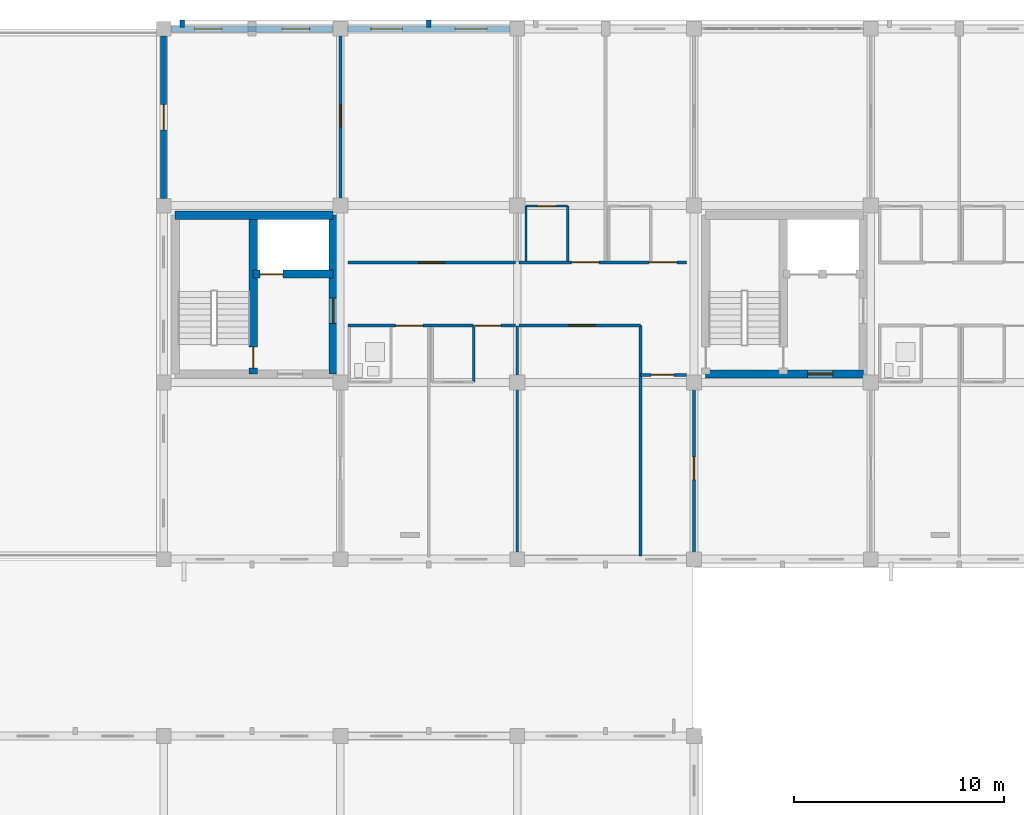
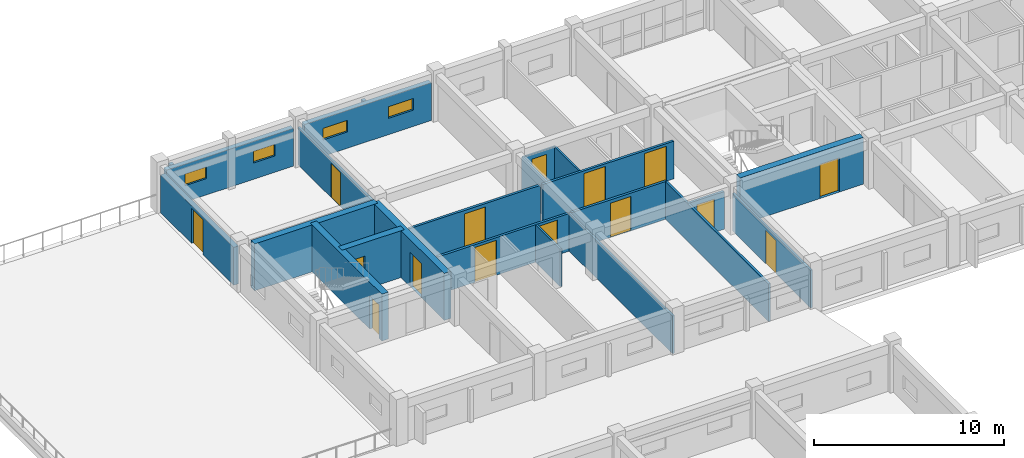
# One storey, part 123 of 148: 23 walls, 15 doors, 4 windows, 19 openings.
"""IFC4 building model written with IfcOpenShell, lengths in metres."""

from ifc_helpers import new_model, si_unit, direction, frame, frame_2d, origin, place, context, subcontext, project, spatial, rectangle, extrude, material, layer, layer_set, type_object, element, fill, save


model = new_model("IFC4")

# Units and contexts
model_context = context("Model", 3, precision=1e-05, world=origin(), true_north=direction((0.0, 1.0)))
body_context = subcontext(model_context, "Body", "Model", "MODEL_VIEW")
ifc_project = project(units=[si_unit("LENGTHUNIT", "METRE"), si_unit("AREAUNIT", "SQUARE_METRE"), si_unit("VOLUMEUNIT", "CUBIC_METRE"), si_unit("PLANEANGLEUNIT", "RADIAN"), si_unit("MASSUNIT", "GRAM", prefix="KILO")], contexts=[model_context])

# Site, building, storey
site_placement = place(None, origin())
site = spatial("IfcSite", under=ifc_project, at=site_placement, CompositionType="ELEMENT")
building_placement = place(site_placement, origin())
building = spatial("IfcBuilding", under=site, at=building_placement, Name="Trelvath General Hospital", CompositionType="ELEMENT")
storey_placement = place(building_placement, frame((0.0, 0.0, 12.89990234375)))
storey = spatial("IfcBuildingStorey", under=building, at=storey_placement, Name="L03", CompositionType="ELEMENT", Elevation=12.89990234375)

# Walls
ifc_material_1 = material(Name="Precast concrete C40/50", Category="concrete")
ifc_layer_1 = layer(ifc_material_1, 0.199951171875)
ifc_layer_set_1 = layer_set([ifc_layer_1], Name="Precast concrete C40/50")
wall_type_1 = type_object("IfcWallType", Name="BriseSoleilRib 200", PredefinedType="ELEMENTEDWALL", material=ifc_layer_set_1)
for number, where, z_axis, x_axis, name in (
    (1, (17.684814453125, 117.675048828125, 0.0), (0.0, 0.0, 1.0), (0.0, 1.0, 0.0), "Precast Concrete Brise-Soleil Rib Fin L03-239"),
    (2, (29.39990234375, 117.675048828125, 0.0), (0.0, 0.0, 1.0), (0.0, 1.0, 0.0), "Precast Concrete Brise-Soleil Rib Fin L03-245"),
):
    element("IfcWall", number, at=place(storey_placement, frame(where, z_axis=z_axis, x_axis=x_axis)), inside=storey, type_object=wall_type_1, Name=name, PredefinedType="ELEMENTEDWALL", context=body_context, shape_type="SweptSolid", body=[
        extrude(rectangle(XDim=0.33984375, YDim=0.199951171875, at=frame_2d((0.169921875, 0.0))), origin(), (0.0, 0.0, 1.0), 2.420166015625),
    ])

# Wall, openings, doors
ifc_material_2 = material(Name="Gypsum acoustic steel-stud partition", Category="steel")
ifc_layer_2 = layer(ifc_material_2, 0.14990234375)
ifc_layer_set_2 = layer_set([ifc_layer_2], Name="Gypsum acoustic steel-stud partition")
wall_type_2 = type_object("IfcWallType", Name="ClinicalPartition 150", PredefinedType="PARTITIONING", material=ifc_layer_set_2)
wall_1_placement = place(storey_placement, frame((25.56005859375, 103.5, 0.0), z_axis=(0.0, 0.0, 1.0), x_axis=(1.0, 0.0, 0.0)))
wall_1 = element("IfcWall", 3, at=wall_1_placement, inside=storey, type_object=wall_type_2, Name="Corridor Partition L03-1231", PredefinedType="PARTITIONING", context=body_context, shape_type="SweptSolid", body=[
    extrude(rectangle(XDim=7.9599609375, YDim=0.14990234375, at=frame_2d((3.97998046875, 0.0))), origin(), (0.0, 0.0, 1.0), 2.420166015625),
])
opening_1_placement = place(wall_1_placement, frame((2.25, 0.0, 0.0)))
opening_1 = element("IfcOpeningElement", 4, at=opening_1_placement, cuts=wall_1, Name="Opening D-3-0902", PredefinedType="OPENING", context=body_context, shape_type="SweptSolid", body=[
    extrude(rectangle(XDim=1.320068359375, YDim=2.25, at=frame_2d((0.66015625, 1.125))), frame((0.0, 0.0849609375, 0.0), z_axis=(0.0, -1.0, 0.0), x_axis=(1.0, 0.0, 0.0)), (0.0, 0.0, 1.0), 0.169921875),
])
opening_2_placement = place(wall_1_placement, frame((5.949951171875, 0.0, 0.0)))
opening_2 = element("IfcOpeningElement", 5, at=opening_2_placement, cuts=wall_1, Name="Opening D-3-0903", PredefinedType="OPENING", context=body_context, shape_type="SweptSolid", body=[
    extrude(rectangle(XDim=1.320068359375, YDim=2.25, at=frame_2d((0.66015625, 1.125))), frame((0.0, 0.0849609375, 0.0), z_axis=(0.0, -1.0, 0.0), x_axis=(1.0, 0.0, 0.0)), (0.0, 0.0, 1.0), 0.169921875),
])
ifc_material_3 = material(Name="Maternity bed-leaf timber door", Category="wood")
door_type_1 = type_object("IfcDoorType", Name="Door PatientMaternity 1320x2250", OperationType="NOTDEFINED", PredefinedType="DOOR", material=ifc_material_3)
door_1_placement = place(opening_1_placement, origin())
door_1 = element("IfcDoor", 6, at=door_1_placement, inside=storey, type_object=door_type_1, Name="Patient Room Door L03-902", OperationType="SINGLE_SWING_RIGHT", OverallHeight=2.25, OverallWidth=1.320068359375, PredefinedType="DOOR", context=body_context, shape_type="SweptSolid", body=[
    extrude(rectangle(XDim=1.320068359375, YDim=2.25, at=frame_2d((0.66015625, 1.125))), frame((0.0, 0.02490234375, 0.0), z_axis=(0.0, -1.0, 0.0), x_axis=(1.0, 0.0, 0.0)), (0.0, 0.0, 1.0), 0.050048828125),
])
fill(opening_1, door_1)
door_2_placement = place(opening_2_placement, origin())
door_2 = element("IfcDoor", 7, at=door_2_placement, inside=storey, type_object=door_type_1, Name="Patient Room Door L03-903", OperationType="SINGLE_SWING_LEFT", OverallHeight=2.25, OverallWidth=1.320068359375, PredefinedType="DOOR", context=body_context, shape_type="SweptSolid", body=[
    extrude(rectangle(XDim=1.320068359375, YDim=2.25, at=frame_2d((0.66015625, 1.125))), frame((0.0, 0.02490234375, 0.0), z_axis=(0.0, -1.0, 0.0), x_axis=(1.0, 0.0, 0.0)), (0.0, 0.0, 1.0), 0.050048828125),
])
fill(opening_2, door_2)

# Wall, opening, door
wall_2_placement = place(storey_placement, frame((33.52001953125, 106.5, 0.0), z_axis=(0.0, 0.0, 1.0), x_axis=(-1.0, 0.0, 0.0)))
wall_2 = element("IfcWall", 8, at=wall_2_placement, inside=storey, type_object=wall_type_2, Name="Corridor Partition N L03-1240", PredefinedType="PARTITIONING", context=body_context, shape_type="SweptSolid", body=[
    extrude(rectangle(XDim=7.9599609375, YDim=0.14990234375, at=frame_2d((3.97998046875, 0.0))), origin(), (0.0, 0.0, 1.0), 2.420166015625),
])
opening_3_placement = place(wall_2_placement, frame((3.35498046875, 0.0, 0.0)))
opening_3 = element("IfcOpeningElement", 9, at=opening_3_placement, cuts=wall_2, Name="Opening D-3-0906", PredefinedType="OPENING", context=body_context, shape_type="SweptSolid", body=[
    extrude(rectangle(XDim=1.25, YDim=2.199951171875, at=frame_2d((0.625, 1.10009765625))), frame((0.0, 0.0849609375, 0.0), z_axis=(0.0, -1.0, 0.0), x_axis=(1.0, 0.0, 0.0)), (0.0, 0.0, 1.0), 0.169921875),
])
ifc_material_4 = material(Name="Acoustic hospital timber leaf", Category="wood")
door_type_2 = type_object("IfcDoorType", Name="Door Treatment 1250x2200", OperationType="NOTDEFINED", PredefinedType="DOOR", material=ifc_material_4)
door_3_placement = place(opening_3_placement, origin())
door_3 = element("IfcDoor", 10, at=door_3_placement, inside=storey, type_object=door_type_2, Name="Clinical Room Door L03-906", OperationType="SINGLE_SWING_RIGHT", OverallHeight=2.199951171875, OverallWidth=1.25, PredefinedType="DOOR", context=body_context, shape_type="SweptSolid", body=[
    extrude(rectangle(XDim=1.25, YDim=2.199951171875, at=frame_2d((0.625, 1.10009765625))), frame((0.0, 0.02490234375, 0.0), z_axis=(0.0, -1.0, 0.0), x_axis=(1.0, 0.0, 0.0)), (0.0, 0.0, 1.0), 0.050048828125),
])
fill(opening_3, door_3)

wall_3_placement = place(storey_placement, frame((33.679931640625, 103.5, 0.0), z_axis=(0.0, 0.0, 1.0), x_axis=(1.0, 0.0, 0.0)))
wall_3 = element("IfcWall", 11, at=wall_3_placement, inside=storey, type_object=wall_type_2, Name="Nurse Station Partition L03-1243", PredefinedType="PARTITIONING", context=body_context, shape_type="SweptSolid", body=[
    extrude(rectangle(XDim=5.780029296875, YDim=0.14990234375, at=frame_2d((2.89013671875, 0.0))), origin(), (0.0, 0.0, 1.0), 2.420166015625),
])
opening_4_placement = place(wall_3_placement, frame((2.3798828125, 0.0, 0.0)))
opening_4 = element("IfcOpeningElement", 12, at=opening_4_placement, cuts=wall_3, Name="Opening D-3-0907", PredefinedType="OPENING", context=body_context, shape_type="SweptSolid", body=[
    extrude(rectangle(XDim=1.25, YDim=2.199951171875, at=frame_2d((0.625, 1.10009765625))), frame((0.0, 0.0849609375, 0.0), z_axis=(0.0, -1.0, 0.0), x_axis=(1.0, 0.0, 0.0)), (0.0, 0.0, 1.0), 0.169921875),
])
door_4_placement = place(opening_4_placement, origin())
door_4 = element("IfcDoor", 13, at=door_4_placement, inside=storey, type_object=door_type_2, Name="Nurse Station Door L03-907", OperationType="SINGLE_SWING_LEFT", OverallHeight=2.199951171875, OverallWidth=1.25, PredefinedType="DOOR", context=body_context, shape_type="SweptSolid", body=[
    extrude(rectangle(XDim=1.25, YDim=2.199951171875, at=frame_2d((0.625, 1.10009765625))), frame((0.0, 0.02490234375, 0.0), z_axis=(0.0, -1.0, 0.0), x_axis=(1.0, 0.0, 0.0)), (0.0, 0.0, 1.0), 0.050048828125),
])
fill(opening_4, door_4)

wall_4_placement = place(storey_placement, frame((39.4599609375, 101.159912109375, 0.0), z_axis=(0.0, 0.0, 1.0), x_axis=(1.0, 0.0, 0.0)))
wall_4 = element("IfcWall", 14, at=wall_4_placement, inside=storey, type_object=wall_type_2, Name="Clean Utility Partition L03-1245", PredefinedType="PARTITIONING", context=body_context, shape_type="SweptSolid", body=[
    extrude(rectangle(XDim=2.179931640625, YDim=0.14990234375, at=frame_2d((1.08984375, 0.0))), origin(), (0.0, 0.0, 1.0), 2.420166015625),
])
opening_5_placement = place(wall_4_placement, frame((0.5, 0.0, 0.0)))
opening_5 = element("IfcOpeningElement", 15, at=opening_5_placement, cuts=wall_4, Name="Opening D-3-0908", PredefinedType="OPENING", context=body_context, shape_type="SweptSolid", body=[
    extrude(rectangle(XDim=1.080078125, YDim=2.14990234375, at=frame_2d((0.5400390625, 1.074951171875))), frame((0.0, 0.0849609375, 0.0), z_axis=(0.0, -1.0, 0.0), x_axis=(1.0, 0.0, 0.0)), (0.0, 0.0, 1.0), 0.169921875),
])
ifc_material_5 = material(Name="Acoustic hospital timber leaf", Category="wood")
door_type_3 = type_object("IfcDoorType", Name="Door CleanSupply 1080x2150", OperationType="NOTDEFINED", PredefinedType="DOOR", material=ifc_material_5)
door_5_placement = place(opening_5_placement, origin())
door_5 = element("IfcDoor", 16, at=door_5_placement, inside=storey, type_object=door_type_3, Name="Clean Utility Door L03-908", OperationType="SINGLE_SWING_RIGHT", OverallHeight=2.14990234375, OverallWidth=1.080078125, PredefinedType="DOOR", context=body_context, shape_type="SweptSolid", body=[
    extrude(rectangle(XDim=1.080078125, YDim=2.14990234375, at=frame_2d((0.5400390625, 1.074951171875))), frame((0.0, 0.02490234375, 0.0), z_axis=(0.0, -1.0, 0.0), x_axis=(1.0, 0.0, 0.0)), (0.0, 0.0, 1.0), 0.050048828125),
])
fill(opening_5, door_5)

# Wall, openings, doors
wall_5_placement = place(storey_placement, frame((41.639892578125, 106.5, 0.0), z_axis=(0.0, 0.0, 1.0), x_axis=(-1.0, 0.0, 0.0)))
wall_5 = element("IfcWall", 17, at=wall_5_placement, inside=storey, type_object=wall_type_2, Name="Corridor Partition N L03-1246", PredefinedType="PARTITIONING", context=body_context, shape_type="SweptSolid", body=[
    extrude(rectangle(XDim=7.9599609375, YDim=0.14990234375, at=frame_2d((3.97998046875, 0.0))), origin(), (0.0, 0.0, 1.0), 2.420166015625),
])
opening_6_placement = place(wall_5_placement, frame((0.449951171875, 0.0, 0.0)))
opening_6 = element("IfcOpeningElement", 18, at=opening_6_placement, cuts=wall_5, Name="Opening D-3-0909", PredefinedType="OPENING", context=body_context, shape_type="SweptSolid", body=[
    extrude(rectangle(XDim=1.320068359375, YDim=2.25, at=frame_2d((0.66015625, 1.125))), frame((0.0, 0.0849609375, 0.0), z_axis=(0.0, -1.0, 0.0), x_axis=(1.0, 0.0, 0.0)), (0.0, 0.0, 1.0), 0.169921875),
])
opening_7_placement = place(wall_5_placement, frame((4.14990234375, 0.0, 0.0)))
opening_7 = element("IfcOpeningElement", 19, at=opening_7_placement, cuts=wall_5, Name="Opening D-3-0910", PredefinedType="OPENING", context=body_context, shape_type="SweptSolid", body=[
    extrude(rectangle(XDim=1.320068359375, YDim=2.25, at=frame_2d((0.66015625, 1.125))), frame((0.0, 0.0849609375, 0.0), z_axis=(0.0, -1.0, 0.0), x_axis=(1.0, 0.0, 0.0)), (0.0, 0.0, 1.0), 0.169921875),
])
door_6_placement = place(opening_6_placement, origin())
door_6 = element("IfcDoor", 20, at=door_6_placement, inside=storey, type_object=door_type_1, Name="Patient Room Door N L03-909", OperationType="SINGLE_SWING_LEFT", OverallHeight=2.25, OverallWidth=1.320068359375, PredefinedType="DOOR", context=body_context, shape_type="SweptSolid", body=[
    extrude(rectangle(XDim=1.320068359375, YDim=2.25, at=frame_2d((0.66015625, 1.125))), frame((0.0, 0.02490234375, 0.0), z_axis=(0.0, -1.0, 0.0), x_axis=(1.0, 0.0, 0.0)), (0.0, 0.0, 1.0), 0.050048828125),
])
fill(opening_6, door_6)
door_7_placement = place(opening_7_placement, origin())
door_7 = element("IfcDoor", 21, at=door_7_placement, inside=storey, type_object=door_type_1, Name="Patient Room Door N L03-910", OperationType="SINGLE_SWING_LEFT", OverallHeight=2.25, OverallWidth=1.320068359375, PredefinedType="DOOR", context=body_context, shape_type="SweptSolid", body=[
    extrude(rectangle(XDim=1.320068359375, YDim=2.25, at=frame_2d((0.66015625, 1.125))), frame((0.0, 0.02490234375, 0.0), z_axis=(0.0, -1.0, 0.0), x_axis=(1.0, 0.0, 0.0)), (0.0, 0.0, 1.0), 0.050048828125),
])
fill(opening_7, door_7)

# Wall, opening, door
ifc_material_6 = material(Name="Concrete C40/50", Category="concrete")
ifc_layer_3 = layer(ifc_material_6, 0.39990234375)
ifc_layer_set_3 = layer_set([ifc_layer_3], Name="Concrete C40/50")
wall_type_3 = type_object("IfcWallType", Name="CoreShearWall 400", PredefinedType="SHEAR", material=ifc_layer_set_3)
wall_6_placement = place(storey_placement, frame((42.550048828125, 101.199951171875, 0.0), z_axis=(0.0, 0.0, 1.0), x_axis=(1.0, 0.0, 0.0)))
wall_6 = element("IfcWall", 22, at=wall_6_placement, inside=storey, type_object=wall_type_3, Name="Core Shear Wall C1 S L03", PredefinedType="SHEAR", context=body_context, shape_type="SweptSolid", body=[
    extrude(rectangle(XDim=7.5, YDim=0.39990234375, at=frame_2d((3.75, 0.0))), origin(), (0.0, 0.0, 1.0), 3.02001953125),
])
opening_8_placement = place(wall_6_placement, frame((4.85009765625, 0.0, 0.0)))
opening_8 = element("IfcOpeningElement", 23, at=opening_8_placement, cuts=wall_6, Name="Opening FD-LS13", PredefinedType="OPENING", context=body_context, shape_type="SweptSolid", body=[
    extrude(rectangle(XDim=1.199951171875, YDim=2.199951171875, at=frame_2d((0.60009765625, 1.10009765625))), frame((0.0, 0.2099609375, 0.0), z_axis=(0.0, -1.0, 0.0), x_axis=(1.0, 0.0, 0.0)), (0.0, 0.0, 1.0), 0.419921875),
])
ifc_material_7 = material(Name="Fire-rated steel door", Category="steel")
door_type_4 = type_object("IfcDoorType", Name="Door FireLobby 1200x2200", OperationType="NOTDEFINED", PredefinedType="DOOR", material=ifc_material_7)
door_8_placement = place(opening_8_placement, origin())
door_8 = element("IfcDoor", 24, at=door_8_placement, inside=storey, type_object=door_type_4, Name="Fire Lobby South Door C1 L03", OperationType="SINGLE_SWING_RIGHT", OverallHeight=2.199951171875, OverallWidth=1.199951171875, PredefinedType="DOOR", context=body_context, shape_type="SweptSolid", body=[
    extrude(rectangle(XDim=1.199951171875, YDim=2.199951171875, at=frame_2d((0.60009765625, 1.10009765625))), frame((0.0, 0.02490234375, 0.0), z_axis=(0.0, -1.0, 0.0), x_axis=(1.0, 0.0, 0.0)), (0.0, 0.0, 1.0), 0.050048828125),
])
fill(opening_8, door_8)

# Wall
wall_7_placement = place(storey_placement, frame((17.35009765625, 108.75, 0.0), z_axis=(0.0, 0.0, 1.0), x_axis=(1.0, 0.0, 0.0)))
element("IfcWall", 25, at=wall_7_placement, inside=storey, type_object=wall_type_3, Name="Core Shear Wall C3 N L03", PredefinedType="SHEAR", context=body_context, shape_type="SweptSolid", body=[
    extrude(rectangle(XDim=7.5, YDim=0.39990234375, at=frame_2d((3.75, 0.0))), origin(), (0.0, 0.0, 1.0), 3.02001953125),
])

# Wall, opening, door
wall_8_placement = place(storey_placement, frame((24.85009765625, 101.199951171875, 0.0), z_axis=(0.0, 0.0, 1.0), x_axis=(0.0, 1.0, 0.0)))
wall_8 = element("IfcWall", 26, at=wall_8_placement, inside=storey, type_object=wall_type_3, Name="Core Shear Wall C3 E L03", PredefinedType="SHEAR", context=body_context, shape_type="SweptSolid", body=[
    extrude(rectangle(XDim=7.550048828125, YDim=0.39990234375, at=frame_2d((3.77490234375, 0.0))), origin(), (0.0, 0.0, 1.0), 3.02001953125),
])
opening_9_placement = place(wall_8_placement, frame((2.39990234375, 0.0, 0.0)))
opening_9 = element("IfcOpeningElement", 27, at=opening_9_placement, cuts=wall_8, Name="Opening FD-LE33", PredefinedType="OPENING", context=body_context, shape_type="SweptSolid", body=[
    extrude(rectangle(XDim=1.199951171875, YDim=2.199951171875, at=frame_2d((0.60009765625, 1.10009765625))), frame((0.0, 0.2099609375, 0.0), z_axis=(0.0, -1.0, 0.0), x_axis=(1.0, 0.0, 0.0)), (0.0, 0.0, 1.0), 0.419921875),
])
door_9_placement = place(opening_9_placement, origin())
door_9 = element("IfcDoor", 28, at=door_9_placement, inside=storey, type_object=door_type_4, Name="Fire Lobby East Corridor Door C3 L03", OperationType="SINGLE_SWING_RIGHT", OverallHeight=2.199951171875, OverallWidth=1.199951171875, PredefinedType="DOOR", context=body_context, shape_type="SweptSolid", body=[
    extrude(rectangle(XDim=1.199951171875, YDim=2.199951171875, at=frame_2d((0.60009765625, 1.10009765625))), frame((0.0, 0.02490234375, 0.0), z_axis=(0.0, -1.0, 0.0), x_axis=(1.0, 0.0, 0.0)), (0.0, 0.0, 1.0), 0.050048828125),
])
fill(opening_9, door_9)

wall_9_placement = place(storey_placement, frame((21.050048828125, 101.199951171875, 0.0), z_axis=(0.0, 0.0, 1.0), x_axis=(0.0, 1.0, 0.0)))
wall_9 = element("IfcWall", 29, at=wall_9_placement, inside=storey, type_object=wall_type_3, Name="Core Shear Wall C3 SPINE L03", PredefinedType="SHEAR", context=body_context, shape_type="SweptSolid", body=[
    extrude(rectangle(XDim=7.550048828125, YDim=0.39990234375, at=frame_2d((3.77490234375, 0.0))), origin(), (0.0, 0.0, 1.0), 3.02001953125),
])
opening_10_placement = place(wall_9_placement, frame((0.280029296875, 0.0, 0.0)))
opening_10 = element("IfcOpeningElement", 30, at=opening_10_placement, cuts=wall_9, Name="Opening FD-S33", PredefinedType="OPENING", context=body_context, shape_type="SweptSolid", body=[
    extrude(rectangle(XDim=1.0, YDim=2.14990234375, at=frame_2d((0.5, 1.074951171875))), frame((0.0, 0.2099609375, 0.0), z_axis=(0.0, -1.0, 0.0), x_axis=(1.0, 0.0, 0.0)), (0.0, 0.0, 1.0), 0.419921875),
])
ifc_material_8 = material(Name="Fire-rated steel door", Category="steel")
door_type_5 = type_object("IfcDoorType", Name="Door FireStair 1100x2150", OperationType="NOTDEFINED", PredefinedType="DOOR", material=ifc_material_8)
door_10_placement = place(opening_10_placement, origin())
door_10 = element("IfcDoor", 31, at=door_10_placement, inside=storey, type_object=door_type_5, Name="Exit Stair Door ST3 L03", OperationType="SINGLE_SWING_RIGHT", OverallHeight=2.14990234375, OverallWidth=1.0, PredefinedType="DOOR", context=body_context, shape_type="SweptSolid", body=[
    extrude(rectangle(XDim=1.0, YDim=2.14990234375, at=frame_2d((0.5, 1.074951171875))), frame((0.0, 0.02490234375, 0.0), z_axis=(0.0, -1.0, 0.0), x_axis=(1.0, 0.0, 0.0)), (0.0, 0.0, 1.0), 0.050048828125),
])
fill(opening_10, door_10)

wall_10_placement = place(storey_placement, frame((21.050048828125, 105.949951171875, 0.0), z_axis=(0.0, 0.0, 1.0), x_axis=(1.0, 0.0, 0.0)))
wall_10 = element("IfcWall", 32, at=wall_10_placement, inside=storey, type_object=wall_type_3, Name="Core Shear Wall C3 SHAFT L03", PredefinedType="SHEAR", context=body_context, shape_type="SweptSolid", body=[
    extrude(rectangle(XDim=3.800048828125, YDim=0.39990234375, at=frame_2d((1.89990234375, 0.0))), origin(), (0.0, 0.0, 1.0), 3.02001953125),
])
opening_11_placement = place(wall_10_placement, frame((0.320068359375, 0.0, 0.0)))
opening_11 = element("IfcOpeningElement", 33, at=opening_11_placement, cuts=wall_10, Name="Opening LD-CL1-3", PredefinedType="OPENING", context=body_context, shape_type="SweptSolid", body=[
    extrude(rectangle(XDim=1.10009765625, YDim=2.14990234375, at=frame_2d((0.550048828125, 1.074951171875))), frame((0.0, 0.2099609375, 0.0), z_axis=(0.0, -1.0, 0.0), x_axis=(1.0, 0.0, 0.0)), (0.0, 0.0, 1.0), 0.419921875),
])
ifc_material_9 = material(Name="Stainless steel lift landing sliding door", Category="steel")
door_type_6 = type_object("IfcDoorType", Name="Door LiftLanding 1100x2150", OperationType="SLIDING_TO_LEFT", PredefinedType="DOOR", material=ifc_material_9)
door_11_placement = place(opening_11_placement, origin())
door_11 = element("IfcDoor", 34, at=door_11_placement, inside=storey, type_object=door_type_6, Name="Lift Landing Sliding Door LF-CL1 L03", OperationType="SLIDING_TO_LEFT", OverallHeight=2.14990234375, OverallWidth=1.10009765625, PredefinedType="DOOR", context=body_context, shape_type="SweptSolid", body=[
    extrude(rectangle(XDim=1.10009765625, YDim=2.14990234375, at=frame_2d((0.550048828125, 1.074951171875))), frame((0.0, 0.02490234375, 0.0), z_axis=(0.0, -1.0, 0.0), x_axis=(1.0, 0.0, 0.0)), (0.0, 0.0, 1.0), 0.050048828125),
])
fill(opening_11, door_11)

# Walls
ifc_material_10 = material(Name="Moisture-resistant tile partition")
ifc_layer_4 = layer(ifc_material_10, 0.110107421875)
ifc_layer_set_4 = layer_set([ifc_layer_4], Name="Moisture-resistant tile partition")
wall_type_4 = type_object("IfcWallType", Name="EnSuiteWetWall 110", PredefinedType="PARTITIONING", material=ifc_layer_set_4)
for number, where, z_axis, x_axis, name in (
    (35, (31.5400390625, 100.820068359375, 0.0), (0.0, 0.0, 1.0), (0.0, 1.0, 0.0), "En-Suite E Wall L03-1237"),
    (36, (34.02001953125, 106.570068359375, 0.0), (0.0, 0.0, 1.0), (0.0, 1.0, 0.0), "En-Suite W Wall N L03-1248"),
    (37, (36.0, 106.570068359375, 0.0), (0.0, 0.0, 1.0), (0.0, 1.0, 0.0), "En-Suite E Wall N L03-1249"),
):
    element("IfcWall", number, at=place(storey_placement, frame(where, z_axis=z_axis, x_axis=x_axis)), inside=storey, type_object=wall_type_4, Name=name, PredefinedType="PARTITIONING", context=body_context, shape_type="SweptSolid", body=[
        extrude(rectangle(XDim=2.60986328125, YDim=0.110107421875, at=frame_2d((1.304931640625, 0.0))), origin(), (0.0, 0.0, 1.0), 2.420166015625),
    ])

# Wall, opening, door
wall_11_placement = place(storey_placement, frame((34.02001953125, 109.179931640625, 0.0), z_axis=(0.0, 0.0, 1.0), x_axis=(1.0, 0.0, 0.0)))
wall_11 = element("IfcWall", 38, at=wall_11_placement, inside=storey, type_object=wall_type_4, Name="En-Suite Bathroom N Partition L03-1250", PredefinedType="PARTITIONING", context=body_context, shape_type="SweptSolid", body=[
    extrude(rectangle(XDim=1.97998046875, YDim=0.110107421875, at=frame_2d((0.989990234375, 0.0))), origin(), (0.0, 0.0, 1.0), 2.420166015625),
])
opening_12_placement = place(wall_11_placement, frame((0.5400390625, 0.0, 0.0)))
opening_12 = element("IfcOpeningElement", 39, at=opening_12_placement, cuts=wall_11, Name="Opening D-3-0911", PredefinedType="OPENING", context=body_context, shape_type="SweptSolid", body=[
    extrude(rectangle(XDim=0.89990234375, YDim=2.10009765625, at=frame_2d((0.449951171875, 1.050048828125))), frame((0.0, 0.06494140625, 0.0), z_axis=(0.0, -1.0, 0.0), x_axis=(1.0, 0.0, 0.0)), (0.0, 0.0, 1.0), 0.130126953125),
])
ifc_material_11 = material(Name="Moisture-sealed timber leaf", Category="wood")
door_type_7 = type_object("IfcDoorType", Name="Door EnSuite 900x2100", OperationType="NOTDEFINED", PredefinedType="DOOR", material=ifc_material_11)
door_12_placement = place(opening_12_placement, origin())
door_12 = element("IfcDoor", 40, at=door_12_placement, inside=storey, type_object=door_type_7, Name="En-Suite Bathroom N Door L03-911", OperationType="SINGLE_SWING_RIGHT", OverallHeight=2.10009765625, OverallWidth=0.89990234375, PredefinedType="DOOR", context=body_context, shape_type="SweptSolid", body=[
    extrude(rectangle(XDim=0.89990234375, YDim=2.10009765625, at=frame_2d((0.449951171875, 1.050048828125))), frame((0.0, 0.02490234375, 0.0), z_axis=(0.0, -1.0, 0.0), x_axis=(1.0, 0.0, 0.0)), (0.0, 0.0, 1.0), 0.050048828125),
])
fill(opening_12, door_12)

# Wall, openings, windows
ifc_material_12 = material(Name="Concrete C35/45", Category="concrete")
ifc_layer_5 = layer(ifc_material_12, 0.2900390625)
ifc_layer_set_5 = layer_set([ifc_layer_5], Name="Concrete C35/45")
wall_type_5 = type_object("IfcWallType", Name="ExtBushHammeredWall 290", PredefinedType="SOLIDWALL", material=ifc_layer_set_5)
wall_12_placement = place(storey_placement, frame((17.14501953125, 117.60009765625, 0.0), z_axis=(0.0, 0.0, 1.0), x_axis=(1.0, 0.0, 0.0)))
wall_12 = element("IfcWall", 41, at=wall_12_placement, inside=storey, type_object=wall_type_5, Name="Exterior Concrete Wall L03-346", PredefinedType="SOLIDWALL", context=body_context, shape_type="SweptSolid", body=[
    extrude(rectangle(XDim=7.7099609375, YDim=0.2900390625, at=frame_2d((3.85498046875, 0.0))), origin(), (0.0, 0.0, 1.0), 2.440185546875),
])
opening_13_placement = place(wall_12_placement, frame((1.123291015625, 0.0, 1.050048828125)))
opening_13 = element("IfcOpeningElement", 42, at=opening_13_placement, cuts=wall_12, Name="Opening WN-3-563", PredefinedType="OPENING", context=body_context, shape_type="SweptSolid", body=[
    extrude(rectangle(XDim=1.300048828125, YDim=0.75, at=frame_2d((0.64990234375, 0.375))), frame((0.0, 0.155029296875, 0.0), z_axis=(0.0, -1.0, 0.0), x_axis=(1.0, 0.0, 0.0)), (0.0, 0.0, 1.0), 0.31005859375),
])
opening_14_placement = place(wall_12_placement, frame((5.28662109375, 0.0, 1.050048828125)))
opening_14 = element("IfcOpeningElement", 43, at=opening_14_placement, cuts=wall_12, Name="Opening WN-3-564", PredefinedType="OPENING", context=body_context, shape_type="SweptSolid", body=[
    extrude(rectangle(XDim=1.300048828125, YDim=0.75, at=frame_2d((0.64990234375, 0.375))), frame((0.0, 0.155029296875, 0.0), z_axis=(0.0, -1.0, 0.0), x_axis=(1.0, 0.0, 0.0)), (0.0, 0.0, 1.0), 0.31005859375),
])
ifc_material_13 = material(Name="Low-E laminated glass", Category="glass")
window_type_1 = type_object("IfcWindowType", Name="Window InterstitialVent 1300x750", PartitioningType="DOUBLE_PANEL_HORIZONTAL", PredefinedType="WINDOW", material=ifc_material_13)
window_1_placement = place(opening_13_placement, origin())
window_1 = element("IfcWindow", 44, at=window_1_placement, inside=storey, type_object=window_type_1, Name="Solar Reveal Window L03-563", OverallHeight=0.75, OverallWidth=1.300048828125, PartitioningType="SINGLE_PANEL", PredefinedType="WINDOW", context=body_context, shape_type="SweptSolid", body=[
    extrude(rectangle(XDim=1.300048828125, YDim=0.75, at=frame_2d((0.64990234375, 0.375))), frame((0.0, 0.030029296875, 0.0), z_axis=(0.0, -1.0, 0.0), x_axis=(1.0, 0.0, 0.0)), (0.0, 0.0, 1.0), 0.06005859375),
])
fill(opening_13, window_1)
window_2_placement = place(opening_14_placement, origin())
window_2 = element("IfcWindow", 45, at=window_2_placement, inside=storey, type_object=window_type_1, Name="Solar Reveal Window L03-564", OverallHeight=0.75, OverallWidth=1.300048828125, PartitioningType="SINGLE_PANEL", PredefinedType="WINDOW", context=body_context, shape_type="SweptSolid", body=[
    extrude(rectangle(XDim=1.300048828125, YDim=0.75, at=frame_2d((0.64990234375, 0.375))), frame((0.0, 0.030029296875, 0.0), z_axis=(0.0, -1.0, 0.0), x_axis=(1.0, 0.0, 0.0)), (0.0, 0.0, 1.0), 0.06005859375),
])
fill(opening_14, window_2)

# Wall, opening, door
wall_13_placement = place(storey_placement, frame((16.800048828125, 109.544921875, 0.0), z_axis=(0.0, 0.0, 1.0), x_axis=(0.0, 1.0, 0.0)))
wall_13 = element("IfcWall", 46, at=wall_13_placement, inside=storey, type_object=wall_type_5, Name="Exterior Concrete Wall L03-347", PredefinedType="SOLIDWALL", context=body_context, shape_type="SweptSolid", body=[
    extrude(rectangle(XDim=7.7099609375, YDim=0.2900390625, at=frame_2d((3.85498046875, 0.0))), origin(), (0.0, 0.0, 1.0), 2.440185546875),
])
opening_15_placement = place(wall_13_placement, frame((3.2548828125, 0.0, 0.0)))
opening_15 = element("IfcOpeningElement", 47, at=opening_15_placement, cuts=wall_13, Name="Opening TD-3-49", PredefinedType="OPENING", context=body_context, shape_type="SweptSolid", body=[
    extrude(rectangle(XDim=1.199951171875, YDim=2.25, at=frame_2d((0.60009765625, 1.125))), frame((0.0, 0.155029296875, 0.0), z_axis=(0.0, -1.0, 0.0), x_axis=(1.0, 0.0, 0.0)), (0.0, 0.0, 1.0), 0.31005859375),
])
ifc_material_14 = material(Name="Thermally broken glazed aluminium door", Category="aluminium")
door_type_8 = type_object("IfcDoorType", Name="Door Terrace 1200x2250", OperationType="NOTDEFINED", PredefinedType="DOOR", material=ifc_material_14)
door_13_placement = place(opening_15_placement, origin())
door_13 = element("IfcDoor", 48, at=door_13_placement, inside=storey, type_object=door_type_8, Name="Planted Terrace Access Door TERR-OR-NW3 L03", OperationType="SINGLE_SWING_LEFT", OverallHeight=2.25, OverallWidth=1.199951171875, PredefinedType="DOOR", context=body_context, shape_type="SweptSolid", body=[
    extrude(rectangle(XDim=1.199951171875, YDim=2.25, at=frame_2d((0.60009765625, 1.125))), frame((0.0, 0.02490234375, 0.0), z_axis=(0.0, -1.0, 0.0), x_axis=(1.0, 0.0, 0.0)), (0.0, 0.0, 1.0), 0.050048828125),
])
fill(opening_15, door_13)

# Wall, openings, windows
wall_14_placement = place(storey_placement, frame((25.544921875, 117.60009765625, 0.0), z_axis=(0.0, 0.0, 1.0), x_axis=(1.0, 0.0, 0.0)))
wall_14 = element("IfcWall", 49, at=wall_14_placement, inside=storey, type_object=wall_type_5, Name="Exterior Concrete Wall L03-353", PredefinedType="SOLIDWALL", context=body_context, shape_type="SweptSolid", body=[
    extrude(rectangle(XDim=7.7099609375, YDim=0.2900390625, at=frame_2d((3.85498046875, 0.0))), origin(), (0.0, 0.0, 1.0), 2.440185546875),
])
opening_16_placement = place(wall_14_placement, frame((1.100341796875, 0.0, 1.050048828125)))
opening_16 = element("IfcOpeningElement", 50, at=opening_16_placement, cuts=wall_14, Name="Opening WN-3-575", PredefinedType="OPENING", context=body_context, shape_type="SweptSolid", body=[
    extrude(rectangle(XDim=1.5, YDim=0.75, at=frame_2d((0.75, 0.375))), frame((0.0, 0.155029296875, 0.0), z_axis=(0.0, -1.0, 0.0), x_axis=(1.0, 0.0, 0.0)), (0.0, 0.0, 1.0), 0.31005859375),
])
opening_17_placement = place(wall_14_placement, frame((5.109619140625, 0.0, 1.050048828125)))
opening_17 = element("IfcOpeningElement", 51, at=opening_17_placement, cuts=wall_14, Name="Opening WN-3-576", PredefinedType="OPENING", context=body_context, shape_type="SweptSolid", body=[
    extrude(rectangle(XDim=1.5, YDim=0.75, at=frame_2d((0.75, 0.375))), frame((0.0, 0.155029296875, 0.0), z_axis=(0.0, -1.0, 0.0), x_axis=(1.0, 0.0, 0.0)), (0.0, 0.0, 1.0), 0.31005859375),
])
ifc_material_15 = material(Name="Low-E laminated glass", Category="glass")
window_type_2 = type_object("IfcWindowType", Name="Window InterstitialVent 1500x750", PartitioningType="DOUBLE_PANEL_HORIZONTAL", PredefinedType="WINDOW", material=ifc_material_15)
window_3_placement = place(opening_16_placement, origin())
window_3 = element("IfcWindow", 52, at=window_3_placement, inside=storey, type_object=window_type_2, Name="Solar Reveal Window L03-575", OverallHeight=0.75, OverallWidth=1.5, PartitioningType="SINGLE_PANEL", PredefinedType="WINDOW", context=body_context, shape_type="SweptSolid", body=[
    extrude(rectangle(XDim=1.5, YDim=0.75, at=frame_2d((0.75, 0.375))), frame((0.0, 0.030029296875, 0.0), z_axis=(0.0, -1.0, 0.0), x_axis=(1.0, 0.0, 0.0)), (0.0, 0.0, 1.0), 0.06005859375),
])
fill(opening_16, window_3)
window_4_placement = place(opening_17_placement, origin())
window_4 = element("IfcWindow", 53, at=window_4_placement, inside=storey, type_object=window_type_2, Name="Solar Reveal Window L03-576", OverallHeight=0.75, OverallWidth=1.5, PartitioningType="SINGLE_PANEL", PredefinedType="WINDOW", context=body_context, shape_type="SweptSolid", body=[
    extrude(rectangle(XDim=1.5, YDim=0.75, at=frame_2d((0.75, 0.375))), frame((0.0, 0.030029296875, 0.0), z_axis=(0.0, -1.0, 0.0), x_axis=(1.0, 0.0, 0.0)), (0.0, 0.0, 1.0), 0.06005859375),
])
fill(opening_17, window_4)

# Wall, opening, door
ifc_material_16 = material(Name="Gypsum acoustic steel-stud partition", Category="steel")
ifc_layer_6 = layer(ifc_material_16, 0.1298828125)
ifc_layer_set_6 = layer_set([ifc_layer_6], Name="Gypsum acoustic steel-stud partition")
wall_type_6 = type_object("IfcWallType", Name="WardPartition 130", PredefinedType="PARTITIONING", material=ifc_layer_set_6)
wall_15_placement = place(storey_placement, frame((25.199951171875, 109.550048828125, 0.0), z_axis=(0.0, 0.0, 1.0), x_axis=(0.0, 1.0, 0.0)))
wall_15 = element("IfcWall", 54, at=wall_15_placement, inside=storey, type_object=wall_type_6, Name="Inter-Bay Ward Partition N L03-1230", PredefinedType="PARTITIONING", context=body_context, shape_type="SweptSolid", body=[
    extrude(rectangle(XDim=7.909912109375, YDim=0.1298828125, at=frame_2d((3.955078125, 0.0))), origin(), (0.0, 0.0, 1.0), 2.420166015625),
])
opening_18_placement = place(wall_15_placement, frame((3.39990234375, 0.0, 0.0)))
opening_18 = element("IfcOpeningElement", 55, at=opening_18_placement, cuts=wall_15, Name="Opening D-3-0901", PredefinedType="OPENING", context=body_context, shape_type="SweptSolid", body=[
    extrude(rectangle(XDim=1.050048828125, YDim=2.199951171875, at=frame_2d((0.52490234375, 1.10009765625))), frame((0.0, 0.074951171875, 0.0), z_axis=(0.0, -1.0, 0.0), x_axis=(1.0, 0.0, 0.0)), (0.0, 0.0, 1.0), 0.14990234375),
])
ifc_material_17 = material(Name="Acoustic hospital timber leaf", Category="wood")
door_type_9 = type_object("IfcDoorType", Name="Door Consult 1050x2200", OperationType="NOTDEFINED", PredefinedType="DOOR", material=ifc_material_17)
door_14_placement = place(opening_18_placement, origin())
door_14 = element("IfcDoor", 56, at=door_14_placement, inside=storey, type_object=door_type_9, Name="Consultation Connecting Door L03-901", OperationType="SINGLE_SWING_LEFT", OverallHeight=2.199951171875, OverallWidth=1.050048828125, PredefinedType="DOOR", context=body_context, shape_type="SweptSolid", body=[
    extrude(rectangle(XDim=1.050048828125, YDim=2.199951171875, at=frame_2d((0.52490234375, 1.10009765625))), frame((0.0, 0.02490234375, 0.0), z_axis=(0.0, -1.0, 0.0), x_axis=(1.0, 0.0, 0.0)), (0.0, 0.0, 1.0), 0.050048828125),
])
fill(opening_18, door_14)

# Walls
for number, where, z_axis, x_axis, name in (
    (57, (33.60009765625, 92.5400390625, 0.0), (0.0, 0.0, 1.0), (0.0, 1.0, 0.0), "Inter-Bay Ward Partition S L03-1241"),
    (58, (39.4599609375, 92.56005859375, 0.0), (0.0, 0.0, 1.0), (0.0, 1.0, 0.0), "Nurse Alcove Partition L03-1244"),
):
    element("IfcWall", number, at=place(storey_placement, frame(where, z_axis=z_axis, x_axis=x_axis)), inside=storey, type_object=wall_type_6, Name=name, PredefinedType="PARTITIONING", context=body_context, shape_type="SweptSolid", body=[
        extrude(rectangle(XDim=10.93994140625, YDim=0.1298828125, at=frame_2d((5.469970703125, 0.0))), origin(), (0.0, 0.0, 1.0), 2.420166015625),
    ])

# Wall, opening, door
wall_16_placement = place(storey_placement, frame((42.0, 92.5400390625, 0.0), z_axis=(0.0, 0.0, 1.0), x_axis=(0.0, 1.0, 0.0)))
wall_16 = element("IfcWall", 59, at=wall_16_placement, inside=storey, type_object=wall_type_6, Name="Inter-Bay Ward Partition S L03-1254", PredefinedType="PARTITIONING", context=body_context, shape_type="SweptSolid", body=[
    extrude(rectangle(XDim=8.2099609375, YDim=0.1298828125, at=frame_2d((4.10498046875, 0.0))), origin(), (0.0, 0.0, 1.0), 2.420166015625),
])
opening_19_placement = place(wall_16_placement, frame((3.639892578125, 0.0, 0.0)))
opening_19 = element("IfcOpeningElement", 60, at=opening_19_placement, cuts=wall_16, Name="Opening D-3-0913", PredefinedType="OPENING", context=body_context, shape_type="SweptSolid", body=[
    extrude(rectangle(XDim=1.080078125, YDim=2.14990234375, at=frame_2d((0.5400390625, 1.074951171875))), frame((0.0, 0.074951171875, 0.0), z_axis=(0.0, -1.0, 0.0), x_axis=(1.0, 0.0, 0.0)), (0.0, 0.0, 1.0), 0.14990234375),
])
door_15_placement = place(opening_19_placement, origin())
door_15 = element("IfcDoor", 61, at=door_15_placement, inside=storey, type_object=door_type_3, Name="Clean Supply Connecting Door L03-913", OperationType="SINGLE_SWING_RIGHT", OverallHeight=2.14990234375, OverallWidth=1.080078125, PredefinedType="DOOR", context=body_context, shape_type="SweptSolid", body=[
    extrude(rectangle(XDim=1.080078125, YDim=2.14990234375, at=frame_2d((0.5400390625, 1.074951171875))), frame((0.0, 0.02490234375, 0.0), z_axis=(0.0, -1.0, 0.0), x_axis=(1.0, 0.0, 0.0)), (0.0, 0.0, 1.0), 0.050048828125),
])
fill(opening_19, door_15)

save(model, "model.ifc")
